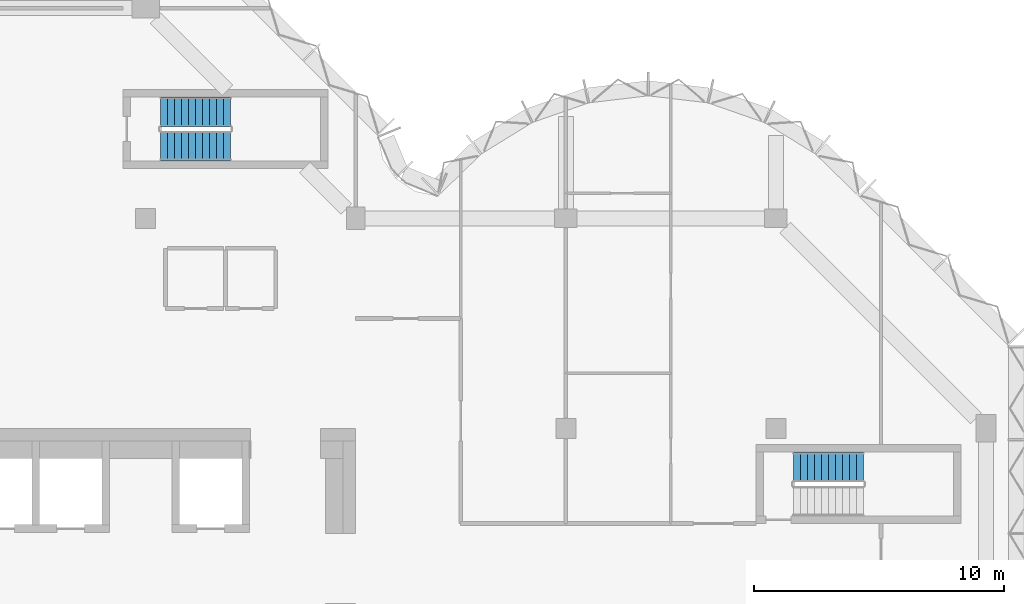
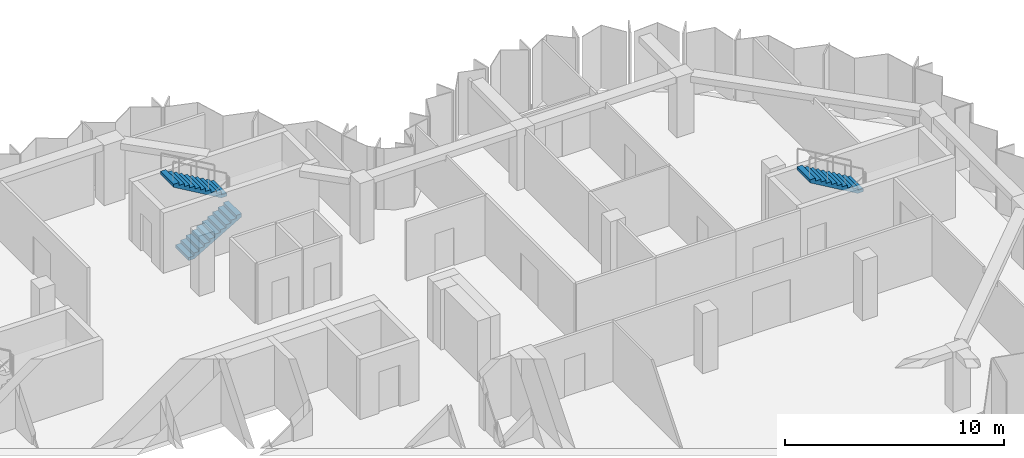
# One storey, part 7 of 9: 3 stair flights, 2 elements without a shape of their own.
"""IFC4 building model written with IfcOpenShell, lengths in metres."""

from ifc_helpers import new_model, si_unit, direction, frame, origin, place, context, subcontext, project, spatial, polyline, outline, extrude, material, type_object, element, aggregate, save


model = new_model("IFC4")

# Units and contexts
model_context = context("Model", 3, precision=1e-05, world=origin(), true_north=direction((0.0, 1.0)))
body_context = subcontext(model_context, "Body", "Model", "MODEL_VIEW")
ifc_project = project(units=[si_unit("LENGTHUNIT", "METRE"), si_unit("AREAUNIT", "SQUARE_METRE"), si_unit("VOLUMEUNIT", "CUBIC_METRE"), si_unit("PLANEANGLEUNIT", "RADIAN"), si_unit("MASSUNIT", "GRAM", prefix="KILO")], contexts=[model_context])

# Site, building, storey
site_placement = place(None, origin())
site = spatial("IfcSite", under=ifc_project, at=site_placement, CompositionType="ELEMENT")
building_placement = place(site_placement, origin())
building = spatial("IfcBuilding", under=site, at=building_placement, Name="Brevane Broadcast Tower", CompositionType="ELEMENT")
storey_placement = place(building_placement, frame((0.0, 0.0, 248.10009765625)))
storey = spatial("IfcBuildingStorey", under=building, at=storey_placement, Name="L63", CompositionType="ELEMENT", Elevation=248.10009765625)

# Stair, stair flights
ifc_material = material(Name="Concrete C50/60", Category="concrete")
stair_type = type_object("IfcStairType", Name="Exit stair 22 risers", PredefinedType="HALF_TURN_STAIR", material=ifc_material)
stair_1_placement = place(storey_placement, origin())
stair_1 = element("IfcStair", 1, at=stair_1_placement, inside=storey, type_object=stair_type, Name="L63 Exit stair ST-3", PredefinedType="HALF_TURN_STAIR")
stair_flight_type = type_object("IfcStairFlightType", Name="Exit stair flight 22 risers", PredefinedType="STRAIGHT", material=ifc_material)
stair_flight_1_placement = place(storey_placement, frame((17.39990234375, 28.10009765625, 0.0), z_axis=(0.0, 0.0, 1.0), x_axis=(1.0, 0.0, 0.0)))
stair_flight_1 = element("IfcStairFlight", 2, at=stair_flight_1_placement, type_object=stair_flight_type, Name="ST-3 flight 1", NumberOfRisers=11, NumberOfTreads=10, PredefinedType="STRAIGHT", RiserHeight=0.163636364, TreadLength=0.28, context=body_context, shape_type="SweptSolid", body=[
    extrude(outline(polyline([(0.0, 0.0), (0.0, 0.16357421875), (0.280029296875, 0.16357421875), (0.280029296875, 0.327392578125), (0.56005859375, 0.327392578125), (0.56005859375, 0.490966796875), (0.840087890625, 0.490966796875), (0.840087890625, 0.654541015625), (1.1201171875, 0.654541015625), (1.1201171875, 0.818115234375), (1.39990234375, 0.818115234375), (1.39990234375, 0.98193359375), (1.679931640625, 0.98193359375), (1.679931640625, 1.1455078125), (1.9599609375, 1.1455078125), (1.9599609375, 1.30908203125), (2.239990234375, 1.30908203125), (2.239990234375, 1.47265625), (2.52001953125, 1.47265625), (2.52001953125, 1.636474609375), (2.800048828125, 1.636474609375), (2.800048828125, 1.800048828125), (2.800048828125, 1.462646484375), (0.297119140625, 0.0), (0.0, 0.0)])), frame((0.0, 0.60009765625, 0.0), z_axis=(0.0, -1.0, 0.0), x_axis=(1.0, 0.0, 0.0)), (0.0, 0.0, 1.0), 1.199951171875),
])
stair_flight_2_placement = place(storey_placement, frame((20.199951171875, 29.449951171875, 1.7998046875), z_axis=(0.0, 0.0, 1.0), x_axis=(-1.0, 0.0, 0.0)))
stair_flight_2 = element("IfcStairFlight", 3, at=stair_flight_2_placement, type_object=stair_flight_type, Name="ST-3 flight 2", NumberOfRisers=11, NumberOfTreads=10, PredefinedType="STRAIGHT", RiserHeight=0.163636364, TreadLength=0.28, context=body_context, shape_type="SweptSolid", body=[
    extrude(outline(polyline([(0.0, 0.0), (0.0, 0.16357421875), (0.280029296875, 0.16357421875), (0.280029296875, 0.327392578125), (0.56005859375, 0.327392578125), (0.56005859375, 0.490966796875), (0.840087890625, 0.490966796875), (0.840087890625, 0.654541015625), (1.1201171875, 0.654541015625), (1.1201171875, 0.818115234375), (1.39990234375, 0.818115234375), (1.39990234375, 0.98193359375), (1.679931640625, 0.98193359375), (1.679931640625, 1.1455078125), (1.9599609375, 1.1455078125), (1.9599609375, 1.30908203125), (2.239990234375, 1.30908203125), (2.239990234375, 1.47265625), (2.52001953125, 1.47265625), (2.52001953125, 1.636474609375), (2.800048828125, 1.636474609375), (2.800048828125, 1.800048828125), (2.800048828125, 1.462646484375), (0.297119140625, 0.0), (0.0, 0.0)])), frame((0.0, 0.60009765625, 0.0), z_axis=(0.0, -1.0, 0.0), x_axis=(1.0, 0.0, 0.0)), (0.0, 0.0, 1.0), 1.199951171875),
])
aggregate(stair_1, [stair_flight_1, stair_flight_2])

# Stair, stair flight
stair_2_placement = place(storey_placement, origin())
stair_2 = element("IfcStair", 4, at=stair_2_placement, inside=storey, type_object=stair_type, Name="L63 Exit stair ST-4", PredefinedType="HALF_TURN_STAIR")
stair_flight_3_placement = place(storey_placement, frame((45.5, 15.25, 1.7998046875), z_axis=(0.0, 0.0, 1.0), x_axis=(-1.0, 0.0, 0.0)))
stair_flight_3 = element("IfcStairFlight", 5, at=stair_flight_3_placement, type_object=stair_flight_type, Name="ST-4 flight 2", NumberOfRisers=11, NumberOfTreads=10, PredefinedType="STRAIGHT", RiserHeight=0.163636364, TreadLength=0.28, context=body_context, shape_type="SweptSolid", body=[
    extrude(outline(polyline([(0.0, 0.0), (0.0, 0.16357421875), (0.280029296875, 0.16357421875), (0.280029296875, 0.327392578125), (0.56005859375, 0.327392578125), (0.56005859375, 0.490966796875), (0.840087890625, 0.490966796875), (0.840087890625, 0.654541015625), (1.1201171875, 0.654541015625), (1.1201171875, 0.818115234375), (1.39990234375, 0.818115234375), (1.39990234375, 0.98193359375), (1.679931640625, 0.98193359375), (1.679931640625, 1.1455078125), (1.9599609375, 1.1455078125), (1.9599609375, 1.30908203125), (2.239990234375, 1.30908203125), (2.239990234375, 1.47265625), (2.52001953125, 1.47265625), (2.52001953125, 1.636474609375), (2.800048828125, 1.636474609375), (2.800048828125, 1.800048828125), (2.800048828125, 1.462646484375), (0.297119140625, 0.0), (0.0, 0.0)])), frame((0.0, 0.60009765625, 0.0), z_axis=(0.0, -1.0, 0.0), x_axis=(1.0, 0.0, 0.0)), (0.0, 0.0, 1.0), 1.199951171875),
])
aggregate(stair_2, [stair_flight_3])

save(model, "model.ifc")
